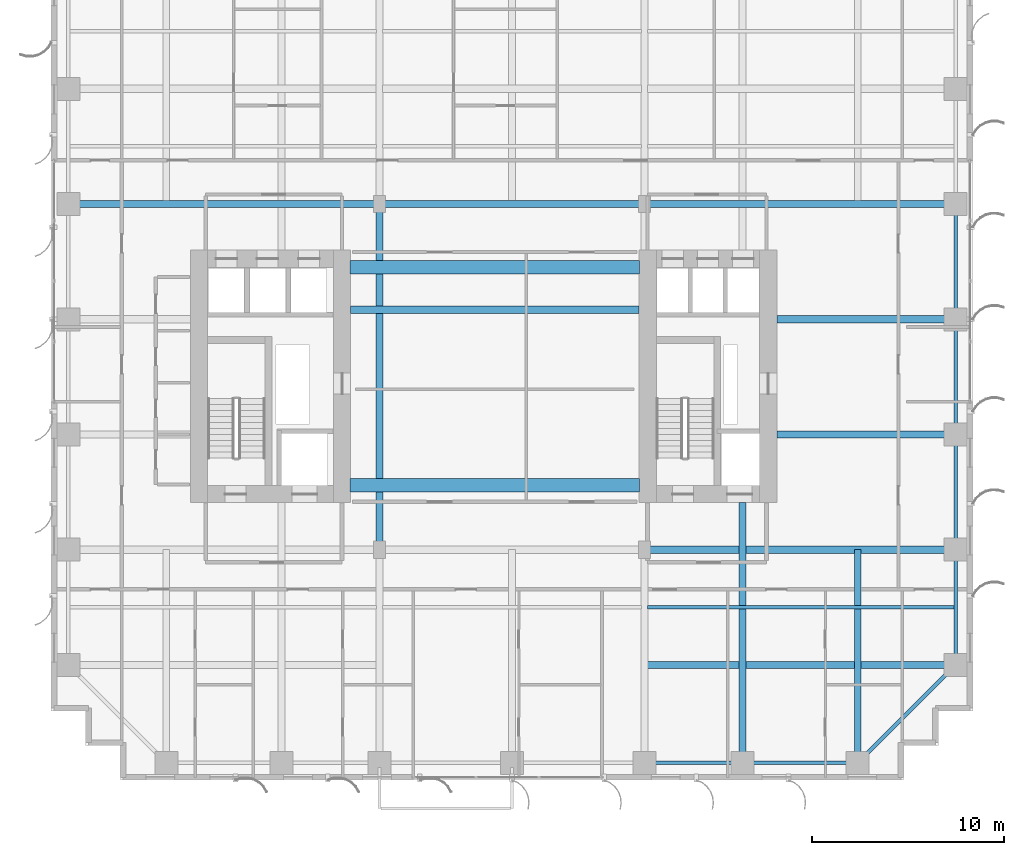
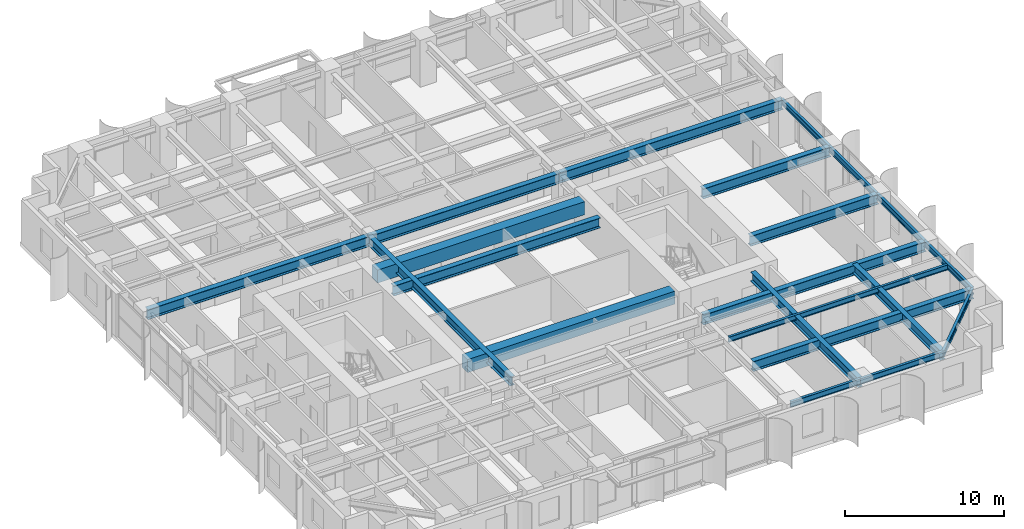
# One storey, part 6 of 22: 21 beams.
"""IFC4 building model written with IfcOpenShell, lengths in metres."""

from ifc_helpers import new_model, si_unit, direction, frame, origin, origin_2d, place, context, subcontext, project, spatial, rectangle, i_section, extrude, source, transform, mapped, material, material_profile, profile_set, type_object, element, save


model = new_model("IFC4")

# Units and contexts
model_context = context("Model", 3, precision=1e-05, world=origin(), true_north=direction((0.0, 1.0)))
body_context = subcontext(model_context, "Body", "Model", "MODEL_VIEW")
ifc_project = project(units=[si_unit("LENGTHUNIT", "METRE"), si_unit("AREAUNIT", "SQUARE_METRE"), si_unit("VOLUMEUNIT", "CUBIC_METRE"), si_unit("PLANEANGLEUNIT", "RADIAN"), si_unit("MASSUNIT", "GRAM", prefix="KILO")], contexts=[model_context])

# Site, building, storey
site_placement = place(None, origin())
site = spatial("IfcSite", under=ifc_project, at=site_placement, CompositionType="ELEMENT")
building_placement = place(site_placement, origin())
building = spatial("IfcBuilding", under=site, at=building_placement, Name="Khoralis Quay Care Tower", CompositionType="ELEMENT")
storey_placement = place(building_placement, frame((0.0, 0.0, 44.10009765625)))
storey = spatial("IfcBuildingStorey", under=building, at=storey_placement, Name="L11", CompositionType="ELEMENT", Elevation=44.10009765625)

# Beams
ifc_material_1 = material(Name="Concrete C80/95", Category="concrete")
ifc_material_profile_1 = material_profile(ifc_material_1, rectangle(XDim=0.699951171875, YDim=1.0, at=origin_2d()), Name="Concrete C80/95")
ifc_profile_set_1 = profile_set([ifc_material_profile_1], Name="Concrete C80/95")
beam_type_1 = type_object("IfcBeamType", Name="CB-RC700X1000", PredefinedType="LINTEL", material=ifc_profile_set_1)
shared_shape_1 = source(origin(), body_context, "Body", "SweptSolid", [
    extrude(rectangle(XDim=0.699951171875, YDim=1.0, at=origin_2d()), origin(), (0.0, 0.0, 1.0), 15.079833984375),
])
for number, where, z_axis, x_axis, name in (
    (1, (15.570068359375, 15.35009765625, 2.81982421875), (1.0, 0.0, 0.0), (0.0, 1.0, 0.0), "L11 South Core Coupling Lintel"),
    (2, (15.570068359375, 26.699951171875, 2.81982421875), (1.0, 0.0, 0.0), (0.0, 1.0, 0.0), "L11 North Core Coupling Lintel"),
):
    element("IfcBeam", number, at=place(storey_placement, frame(where, z_axis=z_axis, x_axis=x_axis)), inside=storey, type_object=beam_type_1, Name=name, PredefinedType="LINTEL", context=body_context, shape_type="MappedRepresentation", body=[
        mapped(shared_shape_1, transform((0.0, 0.0, 0.0), scale=1.0)),
    ])
ifc_material_2 = material(Name="Steel S355", Category="steel")
ifc_material_profile_2 = material_profile(ifc_material_2, i_section(OverallWidth=0.18994140625, OverallDepth=0.449951171875, WebThickness=0.009521484375, FlangeThickness=0.0146484375, FilletRadius=0.02099609375, at=origin_2d()), Name="Steel S355")
ifc_profile_set_2 = profile_set([ifc_material_profile_2], Name="Steel S355")
beam_type_2 = type_object("IfcBeamType", Name="BM-IPE450", PredefinedType="SPANDREL", material=ifc_profile_set_2)
shared_shape_2 = source(origin(), body_context, "Body", "SweptSolid", [
    extrude(i_section(OverallWidth=0.18994140625, OverallDepth=0.449951171875, WebThickness=0.009521484375, FlangeThickness=0.0146484375, FilletRadius=0.02099609375, at=origin_2d()), origin(), (0.0, 0.0, 1.0), 6.0),
])
for number, where, z_axis, x_axis, name in (
    (3, (36.0, 0.89990234375, 3.094970703125), (1.0, 0.0, 0.0), (0.0, 1.0, 0.0), "BM-TSP-L11-06"),
    (4, (47.10009765625, 6.0, 3.094970703125), (0.0, 1.0, 0.0), (-1.0, 0.0, 0.0), "BM-TSP-L11-19"),
    (5, (47.10009765625, 12.0, 3.094970703125), (0.0, 1.0, 0.0), (-1.0, 0.0, 0.0), "BM-TSP-L11-20"),
    (6, (47.10009765625, 18.0, 3.094970703125), (0.0, 1.0, 0.0), (-1.0, 0.0, 0.0), "BM-TSP-L11-21"),
    (7, (47.10009765625, 24.0, 3.094970703125), (0.0, 1.0, 0.0), (-1.0, 0.0, 0.0), "BM-TSP-L11-22"),
):
    element("IfcBeam", number, at=place(storey_placement, frame(where, z_axis=z_axis, x_axis=x_axis)), inside=storey, type_object=beam_type_2, Name=name, PredefinedType="SPANDREL", context=body_context, shape_type="MappedRepresentation", body=[
        mapped(shared_shape_2, transform((0.0, 0.0, 0.0), scale=1.0)),
    ])
shared_shape_3 = source(origin(), body_context, "Body", "SweptSolid", [
    extrude(i_section(OverallWidth=0.18994140625, OverallDepth=0.449951171875, WebThickness=0.009521484375, FlangeThickness=0.0146484375, FilletRadius=0.02099609375, at=origin_2d()), origin(), (0.0, 0.0, 1.0), 5.10009765625),
])
beam_1_placement = place(storey_placement, frame((30.89990234375, 0.89990234375, 3.094970703125), z_axis=(1.0, 0.0, 0.0), x_axis=(0.0, 1.0, 0.0)))
element("IfcBeam", 8, at=beam_1_placement, inside=storey, type_object=beam_type_2, Name="BM-TSP-L11-05", PredefinedType="SPANDREL", context=body_context, shape_type="MappedRepresentation", body=[
    mapped(shared_shape_3, transform((0.0, 0.0, 0.0), scale=1.0)),
])
shared_shape_4 = source(origin(), body_context, "Body", "SweptSolid", [
    extrude(i_section(OverallWidth=0.18994140625, OverallDepth=0.449951171875, WebThickness=0.009521484375, FlangeThickness=0.0146484375, FilletRadius=0.02099609375, at=origin_2d()), origin(), (0.0, 0.0, 1.0), 7.212646484375),
])
beam_2_placement = place(storey_placement, frame((42.0, 0.89990234375, 3.094970703125), z_axis=(0.707106781187, 0.707106781187, 0.0), x_axis=(-0.707106781187, 0.707106781187, 0.0)))
element("IfcBeam", 9, at=beam_2_placement, inside=storey, type_object=beam_type_2, Name="BM-TCR-L11-26", PredefinedType="SPANDREL", context=body_context, shape_type="MappedRepresentation", body=[
    mapped(shared_shape_4, transform((0.0, 0.0, 0.0), scale=1.0)),
])
ifc_material_profile_3 = material_profile(ifc_material_2, i_section(OverallWidth=0.381103515625, OverallDepth=0.77294921875, WebThickness=0.0166015625, FlangeThickness=0.027587890625, FilletRadius=0.02197265625, at=origin_2d()), Name="Steel S355")
ifc_profile_set_3 = profile_set([ifc_material_profile_3], Name="Steel S355")
beam_type_3 = type_object("IfcBeamType", Name="BM-W760X257", PredefinedType="BEAM", material=ifc_profile_set_3)
shared_shape_5 = source(origin(), body_context, "Body", "SweptSolid", [
    extrude(i_section(OverallWidth=0.381103515625, OverallDepth=0.77294921875, WebThickness=0.0166015625, FlangeThickness=0.027587890625, FilletRadius=0.02197265625, at=origin_2d()), origin(), (0.0, 0.0, 1.0), 16.03466796875),
])
beam_3_placement = place(storey_placement, frame((31.0654296875, 6.0, 2.933349609375), z_axis=(1.0, 0.0, 0.0), x_axis=(0.0, 1.0, 0.0)))
element("IfcBeam", 10, at=beam_3_placement, inside=storey, type_object=beam_type_3, Name="BM-TGXE-L11-60", PredefinedType="BEAM", context=body_context, shape_type="MappedRepresentation", body=[
    mapped(shared_shape_5, transform((0.0, 0.0, 0.0), scale=1.0)),
])
shared_shape_6 = source(origin(), body_context, "Body", "SweptSolid", [
    extrude(i_section(OverallWidth=0.381103515625, OverallDepth=0.77294921875, WebThickness=0.0166015625, FlangeThickness=0.027587890625, FilletRadius=0.02197265625, at=origin_2d()), origin(), (0.0, 0.0, 1.0), 16.2001953125),
])
for number, where, z_axis, x_axis, name in (
    (11, (0.89990234375, 30.0, 2.933349609375), (1.0, 0.0, 0.0), (0.0, 1.0, 0.0), "BM-TGXW-L11-300"),
    (12, (30.89990234375, 12.0, 2.933349609375), (1.0, 0.0, 0.0), (0.0, 1.0, 0.0), "BM-TGXE-L11-120"),
    (13, (30.89990234375, 30.0, 2.933349609375), (1.0, 0.0, 0.0), (0.0, 1.0, 0.0), "BM-TGXE-L11-300"),
):
    element("IfcBeam", number, at=place(storey_placement, frame(where, z_axis=z_axis, x_axis=x_axis)), inside=storey, type_object=beam_type_3, Name=name, PredefinedType="BEAM", context=body_context, shape_type="MappedRepresentation", body=[
        mapped(shared_shape_6, transform((0.0, 0.0, 0.0), scale=1.0)),
    ])
shared_shape_7 = source(origin(), body_context, "Body", "SweptSolid", [
    extrude(i_section(OverallWidth=0.381103515625, OverallDepth=0.77294921875, WebThickness=0.0166015625, FlangeThickness=0.027587890625, FilletRadius=0.02197265625, at=origin_2d()), origin(), (0.0, 0.0, 1.0), 9.302001953125),
])
for number, where, z_axis, x_axis, name in (
    (14, (37.798095703125, 18.0, 2.933349609375), (1.0, 0.0, 0.0), (0.0, 1.0, 0.0), "BM-TGXE-L11-180"),
    (15, (37.798095703125, 24.0, 2.933349609375), (1.0, 0.0, 0.0), (0.0, 1.0, 0.0), "BM-TGXE-L11-240"),
):
    element("IfcBeam", number, at=place(storey_placement, frame(where, z_axis=z_axis, x_axis=x_axis)), inside=storey, type_object=beam_type_3, Name=name, PredefinedType="BEAM", context=body_context, shape_type="MappedRepresentation", body=[
        mapped(shared_shape_7, transform((0.0, 0.0, 0.0), scale=1.0)),
    ])
shared_shape_8 = source(origin(), body_context, "Body", "SweptSolid", [
    extrude(i_section(OverallWidth=0.381103515625, OverallDepth=0.77294921875, WebThickness=0.0166015625, FlangeThickness=0.027587890625, FilletRadius=0.02197265625, at=origin_2d()), origin(), (0.0, 0.0, 1.0), 13.7998046875),
])
beam_4_placement = place(storey_placement, frame((17.10009765625, 30.0, 2.933349609375), z_axis=(1.0, 0.0, 0.0), x_axis=(0.0, 1.0, 0.0)))
element("IfcBeam", 16, at=beam_4_placement, inside=storey, type_object=beam_type_3, Name="BM-TGCC-L11-300", PredefinedType="BEAM", context=body_context, shape_type="MappedRepresentation", body=[
    mapped(shared_shape_8, transform((0.0, 0.0, 0.0), scale=1.0)),
])
shared_shape_9 = source(origin(), body_context, "Body", "SweptSolid", [
    extrude(i_section(OverallWidth=0.381103515625, OverallDepth=0.77294921875, WebThickness=0.0166015625, FlangeThickness=0.027587890625, FilletRadius=0.02197265625, at=origin_2d()), origin(), (0.0, 0.0, 1.0), 15.024169921875),
])
beam_5_placement = place(storey_placement, frame((15.597900390625, 24.5, 2.933349609375), z_axis=(1.0, 0.0, 0.0), x_axis=(0.0, 1.0, 0.0)))
element("IfcBeam", 17, at=beam_5_placement, inside=storey, type_object=beam_type_3, Name="BM-TGCC-L11-245", PredefinedType="BEAM", context=body_context, shape_type="MappedRepresentation", body=[
    mapped(shared_shape_9, transform((0.0, 0.0, 0.0), scale=1.0)),
])
ifc_material_profile_4 = material_profile(ifc_material_2, i_section(OverallWidth=0.35498046875, OverallDepth=0.695068359375, WebThickness=0.015380859375, FlangeThickness=0.02490234375, FilletRadius=0.02001953125, at=origin_2d()), Name="Steel S355")
ifc_profile_set_4 = profile_set([ifc_material_profile_4], Name="Steel S355")
beam_type_4 = type_object("IfcBeamType", Name="BM-W690X217", PredefinedType="BEAM", material=ifc_profile_set_4)
shared_shape_10 = source(origin(), body_context, "Body", "SweptSolid", [
    extrude(i_section(OverallWidth=0.35498046875, OverallDepth=0.695068359375, WebThickness=0.015380859375, FlangeThickness=0.02490234375, FilletRadius=0.02001953125, at=origin_2d()), origin(), (0.0, 0.0, 1.0), 11.10009765625),
])
beam_6_placement = place(storey_placement, frame((42.0, 0.89990234375, 2.972412109375), z_axis=(0.0, 1.0, 0.0), x_axis=(-1.0, 0.0, 0.0)))
element("IfcBeam", 18, at=beam_6_placement, inside=storey, type_object=beam_type_4, Name="BM-TGYS-L11-420", PredefinedType="BEAM", context=body_context, shape_type="MappedRepresentation", body=[
    mapped(shared_shape_10, transform((0.0, 0.0, 0.0), scale=1.0)),
])
shared_shape_11 = source(origin(), body_context, "Body", "SweptSolid", [
    extrude(i_section(OverallWidth=0.35498046875, OverallDepth=0.695068359375, WebThickness=0.015380859375, FlangeThickness=0.02490234375, FilletRadius=0.02001953125, at=origin_2d()), origin(), (0.0, 0.0, 1.0), 13.552001953125),
])
beam_7_placement = place(storey_placement, frame((36.0, 0.89990234375, 2.972412109375), z_axis=(0.0, 1.0, 0.0), x_axis=(-1.0, 0.0, 0.0)))
element("IfcBeam", 19, at=beam_7_placement, inside=storey, type_object=beam_type_4, Name="BM-TGYS-L11-360", PredefinedType="BEAM", context=body_context, shape_type="MappedRepresentation", body=[
    mapped(shared_shape_11, transform((0.0, 0.0, 0.0), scale=1.0)),
])
shared_shape_12 = source(origin(), body_context, "Body", "SweptSolid", [
    extrude(i_section(OverallWidth=0.35498046875, OverallDepth=0.695068359375, WebThickness=0.015380859375, FlangeThickness=0.02490234375, FilletRadius=0.02001953125, at=origin_2d()), origin(), (0.0, 0.0, 1.0), 18.0),
])
beam_8_placement = place(storey_placement, frame((17.10009765625, 12.0, 2.972412109375), z_axis=(0.0, 1.0, 0.0), x_axis=(-1.0, 0.0, 0.0)))
element("IfcBeam", 20, at=beam_8_placement, inside=storey, type_object=beam_type_4, Name="BM-TGSW-L11", PredefinedType="BEAM", context=body_context, shape_type="MappedRepresentation", body=[
    mapped(shared_shape_12, transform((0.0, 0.0, 0.0), scale=1.0)),
])
ifc_material_profile_5 = material_profile(ifc_material_2, i_section(OverallWidth=0.177978515625, OverallDepth=0.406982421875, WebThickness=0.0078125, FlangeThickness=0.0126953125, FilletRadius=0.012939453125, at=origin_2d()), Name="Steel S355")
ifc_profile_set_5 = profile_set([ifc_material_profile_5], Name="Steel S355")
beam_type_5 = type_object("IfcBeamType", Name="BM-W410X60", PredefinedType="JOIST", material=ifc_profile_set_5)
shared_shape_13 = source(origin(), body_context, "Body", "SweptSolid", [
    extrude(i_section(OverallWidth=0.177978515625, OverallDepth=0.406982421875, WebThickness=0.0078125, FlangeThickness=0.0126953125, FilletRadius=0.012939453125, at=origin_2d()), origin(), (0.0, 0.0, 1.0), 15.95361328125),
])
beam_9_placement = place(storey_placement, frame((31.0654296875, 9.0, 3.116455078125), z_axis=(1.0, 0.0, 0.0), x_axis=(0.0, 1.0, 0.0)))
element("IfcBeam", 21, at=beam_9_placement, inside=storey, type_object=beam_type_5, Name="BM-TJS-L11-30", PredefinedType="JOIST", context=body_context, shape_type="MappedRepresentation", body=[
    mapped(shared_shape_13, transform((0.0, 0.0, 0.0), scale=1.0)),
])

save(model, "model.ifc")
